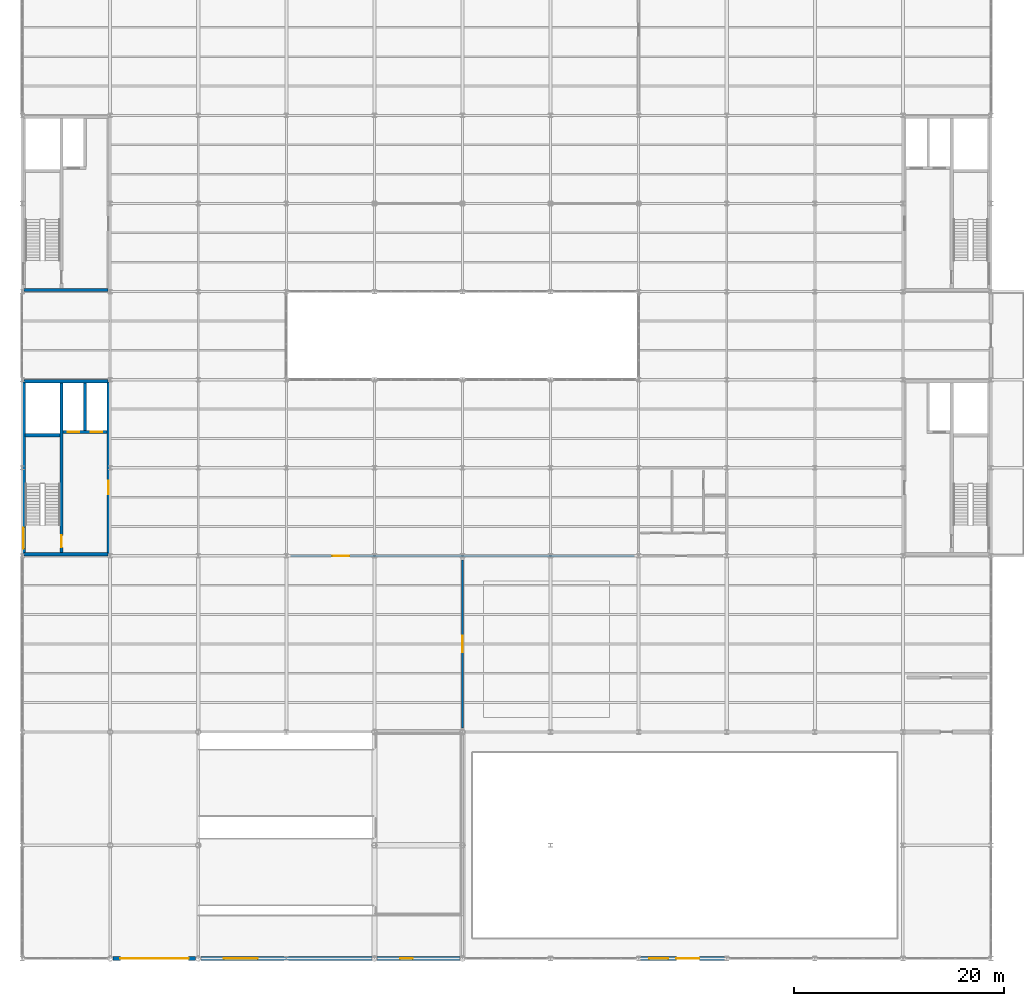
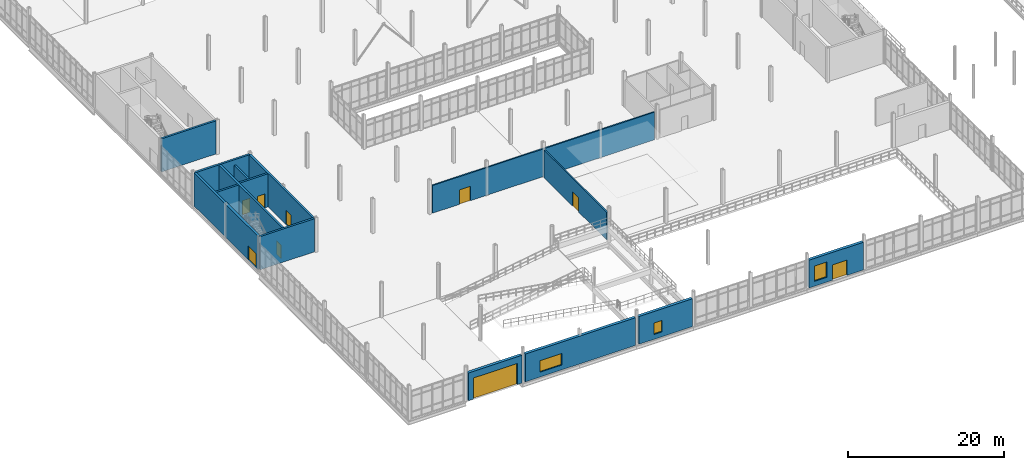
# One storey, part 96 of 111: 15 walls, 9 doors, 3 windows, 12 openings.
"""IFC4 building model written with IfcOpenShell, lengths in metres."""

from ifc_helpers import new_model, si_unit, direction, frame, frame_2d, origin, place, context, subcontext, project, spatial, rectangle, extrude, material, layer, layer_set, type_object, element, fill, save


model = new_model("IFC4")

# Units and contexts
model_context = context("Model", 3, precision=1e-05, world=origin(), true_north=direction((0.0, 1.0)))
body_context = subcontext(model_context, "Body", "Model", "MODEL_VIEW")
ifc_project = project(units=[si_unit("LENGTHUNIT", "METRE"), si_unit("AREAUNIT", "SQUARE_METRE"), si_unit("VOLUMEUNIT", "CUBIC_METRE"), si_unit("PLANEANGLEUNIT", "RADIAN"), si_unit("MASSUNIT", "GRAM", prefix="KILO"), si_unit("THERMODYNAMICTEMPERATUREUNIT", "KELVIN"), si_unit("POWERUNIT", "WATT")], contexts=[model_context])

# Site, building, storey
site_placement = place(None, origin())
site = spatial("IfcSite", under=ifc_project, at=site_placement, CompositionType="ELEMENT")
building_placement = place(site_placement, origin())
building = spatial("IfcBuilding", under=site, at=building_placement, Name="Tembeka Court Mobility Hub", CompositionType="ELEMENT")
storey_placement = place(building_placement, origin())
storey = spatial("IfcBuildingStorey", under=building, at=storey_placement, Name="L00", CompositionType="ELEMENT", Elevation=0.0)

# Wall, opening, door
ifc_material_1 = material(Name="Insulated Nairobi volcanic-tuff masonry", Category="masonry")
ifc_layer_1 = layer(ifc_material_1, 0.419921875)
ifc_layer_set_1 = layer_set([ifc_layer_1], Name="Insulated Nairobi volcanic-tuff masonry")
wall_type_1 = type_object("IfcWallType", Name="WL-EW01", PredefinedType="STANDARD", material=ifc_layer_set_1)
wall_1_placement = place(storey_placement, frame((8.652099609375, 0.0, 0.0), z_axis=(0.0, 0.0, 1.0), x_axis=(1.0, 0.0, 0.0)))
wall_1 = element("IfcWall", 1, at=wall_1_placement, inside=storey, type_object=wall_type_1, Name="External wall EW01 (EW-L00-0062)", PredefinedType="STANDARD", context=body_context, shape_type="SweptSolid", body=[
    extrude(rectangle(XDim=7.89599609375, YDim=0.419921875, at=frame_2d((3.947998046875, 0.0))), origin(), (0.0, 0.0, 1.0), 4.3349609375),
])
opening_1_placement = place(wall_1_placement, frame((0.72998046875, 0.0, 0.0)))
opening_1 = element("IfcOpeningElement", 2, at=opening_1_placement, cuts=wall_1, Name="Opening VG02", PredefinedType="OPENING", context=body_context, shape_type="SweptSolid", body=[
    extrude(rectangle(XDim=6.5, YDim=3.300048828125, at=frame_2d((3.25, 1.64990234375))), frame((0.0, 0.219970703125, 0.0), z_axis=(0.0, -1.0, 0.0), x_axis=(1.0, 0.0, 0.0)), (0.0, 0.0, 1.0), 0.43994140625),
])
ifc_material_2 = material(Name="Galvanised steel fire/shutter doorset", Category="steel")
door_type_1 = type_object("IfcDoorType", Name="DR-VG02", OperationType="ROLLINGUP", PredefinedType="DOOR", material=ifc_material_2)
door_1_placement = place(opening_1_placement, frame((6.5, 0.0, 0.0), z_axis=(0.0, 0.0, 1.0), x_axis=(-1.0, 0.0, 0.0)))
door_1 = element("IfcDoor", 3, at=door_1_placement, inside=storey, type_object=door_type_1, Name="Car park vehicle roller shutter gate VG02", OperationType="ROLLINGUP", OverallHeight=3.300048828125, OverallWidth=6.5, PredefinedType="DOOR", context=body_context, shape_type="SweptSolid", body=[
    extrude(rectangle(XDim=6.5, YDim=3.300048828125, at=frame_2d((3.25, 1.64990234375))), frame((0.0, 0.02490234375, 0.0), z_axis=(0.0, -1.0, 0.0), x_axis=(1.0, 0.0, 0.0)), (0.0, 0.0, 1.0), 0.050048828125),
])
fill(opening_1, door_1)

# Wall, opening, window
wall_2_placement = place(storey_placement, frame((17.052001953125, 0.0, 0.0), z_axis=(0.0, 0.0, 1.0), x_axis=(1.0, 0.0, 0.0)))
wall_2 = element("IfcWall", 4, at=wall_2_placement, inside=storey, type_object=wall_type_1, Name="External wall EW01 (EW-L00-0063)", PredefinedType="STANDARD", context=body_context, shape_type="SweptSolid", body=[
    extrude(rectangle(XDim=16.2958984375, YDim=0.419921875, at=frame_2d((8.14794921875, 0.0))), origin(), (0.0, 0.0, 1.0), 4.3349609375),
])
opening_2_placement = place(wall_2_placement, frame((2.199951171875, 0.0, 0.75)))
opening_2 = element("IfcOpeningElement", 5, at=opening_2_placement, cuts=wall_2, Name="Opening WN18", PredefinedType="OPENING", context=body_context, shape_type="SweptSolid", body=[
    extrude(rectangle(XDim=3.199951171875, YDim=1.800048828125, at=frame_2d((1.60009765625, 0.89990234375))), frame((0.0, 0.219970703125, 0.0), z_axis=(0.0, -1.0, 0.0), x_axis=(1.0, 0.0, 0.0)), (0.0, 0.0, 1.0), 0.43994140625),
])
ifc_material_3 = material(Name="Laminated solar-control low-E glass", Category="glass")
window_type_1 = type_object("IfcWindowType", Name="WN-W18", PartitioningType="SINGLE_PANEL", PredefinedType="WINDOW", material=ifc_material_3)
window_1_placement = place(opening_2_placement, origin())
window_1 = element("IfcWindow", 6, at=window_1_placement, inside=storey, type_object=window_type_1, Name="Window WN18-0007", OverallHeight=1.800048828125, OverallWidth=3.199951171875, PartitioningType="SINGLE_PANEL", PredefinedType="WINDOW", context=body_context, shape_type="SweptSolid", body=[
    extrude(rectangle(XDim=3.199951171875, YDim=1.800048828125, at=frame_2d((1.60009765625, 0.89990234375))), frame((0.0, 0.030029296875, 0.0), z_axis=(0.0, -1.0, 0.0), x_axis=(1.0, 0.0, 0.0)), (0.0, 0.0, 1.0), 0.06005859375),
])
fill(opening_2, window_1)

wall_3_placement = place(storey_placement, frame((33.85205078125, 0.0, 0.0), z_axis=(0.0, 0.0, 1.0), x_axis=(1.0, 0.0, 0.0)))
wall_3 = element("IfcWall", 7, at=wall_3_placement, inside=storey, type_object=wall_type_1, Name="External wall EW01 (EW-L00-0064)", PredefinedType="STANDARD", context=body_context, shape_type="SweptSolid", body=[
    extrude(rectangle(XDim=7.89599609375, YDim=0.419921875, at=frame_2d((3.947998046875, 0.0))), origin(), (0.0, 0.0, 1.0), 4.3349609375),
])
opening_3_placement = place(wall_3_placement, frame((2.199951171875, 0.0, 0.75)))
opening_3 = element("IfcOpeningElement", 8, at=opening_3_placement, cuts=wall_3, Name="Opening WN19", PredefinedType="OPENING", context=body_context, shape_type="SweptSolid", body=[
    extrude(rectangle(XDim=1.199951171875, YDim=1.800048828125, at=frame_2d((0.60009765625, 0.89990234375))), frame((0.0, 0.219970703125, 0.0), z_axis=(0.0, -1.0, 0.0), x_axis=(1.0, 0.0, 0.0)), (0.0, 0.0, 1.0), 0.43994140625),
])
window_type_2 = type_object("IfcWindowType", Name="WN-W19", PartitioningType="SINGLE_PANEL", PredefinedType="WINDOW", material=ifc_material_3)
window_2_placement = place(opening_3_placement, origin())
window_2 = element("IfcWindow", 9, at=window_2_placement, inside=storey, type_object=window_type_2, Name="Window WN19-0008", OverallHeight=1.800048828125, OverallWidth=1.199951171875, PartitioningType="SINGLE_PANEL", PredefinedType="WINDOW", context=body_context, shape_type="SweptSolid", body=[
    extrude(rectangle(XDim=1.199951171875, YDim=1.800048828125, at=frame_2d((0.60009765625, 0.89990234375))), frame((0.0, 0.030029296875, 0.0), z_axis=(0.0, -1.0, 0.0), x_axis=(1.0, 0.0, 0.0)), (0.0, 0.0, 1.0), 0.06005859375),
])
fill(opening_3, window_2)

# Wall, openings, door, window
wall_4_placement = place(storey_placement, frame((58.99755859375, 0.0, 0.0), z_axis=(0.0, 0.0, 1.0), x_axis=(1.0, 0.0, 0.0)))
wall_4 = element("IfcWall", 10, at=wall_4_placement, inside=storey, type_object=wall_type_1, Name="External wall EW01 (EW-L00-0065)", PredefinedType="STANDARD", context=body_context, shape_type="SweptSolid", body=[
    extrude(rectangle(XDim=8.0048828125, YDim=0.419921875, at=frame_2d((4.00244140625, 0.0))), origin(), (0.0, 0.0, 1.0), 4.3349609375),
])
opening_4_placement = place(wall_4_placement, frame((3.39990234375, 0.0, 0.0)))
opening_4 = element("IfcOpeningElement", 11, at=opening_4_placement, cuts=wall_4, Name="Opening E07", PredefinedType="OPENING", context=body_context, shape_type="SweptSolid", body=[
    extrude(rectangle(XDim=2.199951171875, YDim=2.39990234375, at=frame_2d((1.10009765625, 1.199951171875))), frame((0.0, 0.219970703125, 0.0), z_axis=(0.0, -1.0, 0.0), x_axis=(1.0, 0.0, 0.0)), (0.0, 0.0, 1.0), 0.43994140625),
])
opening_5_placement = place(wall_4_placement, frame((0.800048828125, 0.0, 0.75)))
opening_5 = element("IfcOpeningElement", 12, at=opening_5_placement, cuts=wall_4, Name="Opening WN01", PredefinedType="OPENING", context=body_context, shape_type="SweptSolid", body=[
    extrude(rectangle(XDim=1.800048828125, YDim=2.39990234375, at=frame_2d((0.89990234375, 1.199951171875))), frame((0.0, 0.219970703125, 0.0), z_axis=(0.0, -1.0, 0.0), x_axis=(1.0, 0.0, 0.0)), (0.0, 0.0, 1.0), 0.43994140625),
])
ifc_material_4 = material(Name="Powder-coated aluminium glazed doorset", Category="aluminium")
door_type_2 = type_object("IfcDoorType", Name="DR-E07", OperationType="NOTDEFINED", PredefinedType="DOOR", material=ifc_material_4)
door_2_placement = place(opening_4_placement, frame((2.199951171875, 0.0, 0.0), z_axis=(0.0, 0.0, 1.0), x_axis=(-1.0, 0.0, 0.0)))
door_2 = element("IfcDoor", 13, at=door_2_placement, inside=storey, type_object=door_type_2, Name="Main entrance E07 forecourt South", OperationType="DOUBLE_DOOR_SINGLE_SWING", OverallHeight=2.39990234375, OverallWidth=2.199951171875, PredefinedType="DOOR", context=body_context, shape_type="SweptSolid", body=[
    extrude(rectangle(XDim=2.199951171875, YDim=2.39990234375, at=frame_2d((1.10009765625, 1.199951171875))), frame((0.0, 0.02490234375, 0.0), z_axis=(0.0, -1.0, 0.0), x_axis=(1.0, 0.0, 0.0)), (0.0, 0.0, 1.0), 0.050048828125),
])
fill(opening_4, door_2)
window_type_3 = type_object("IfcWindowType", Name="WN-W01", PartitioningType="SINGLE_PANEL", PredefinedType="WINDOW", material=ifc_material_3)
window_3_placement = place(opening_5_placement, origin())
window_3 = element("IfcWindow", 14, at=window_3_placement, inside=storey, type_object=window_type_3, Name="Window WN01-0009", OverallHeight=2.39990234375, OverallWidth=1.800048828125, PartitioningType="SINGLE_PANEL", PredefinedType="WINDOW", context=body_context, shape_type="SweptSolid", body=[
    extrude(rectangle(XDim=1.800048828125, YDim=2.39990234375, at=frame_2d((0.89990234375, 1.199951171875))), frame((0.0, 0.030029296875, 0.0), z_axis=(0.0, -1.0, 0.0), x_axis=(1.0, 0.0, 0.0)), (0.0, 0.0, 1.0), 0.06005859375),
])
fill(opening_5, window_3)

# Wall
ifc_material_5 = material(Name="Concrete C40/50", Category="concrete")
ifc_layer_2 = layer(ifc_material_5, 0.25)
ifc_layer_set_2 = layer_set([ifc_layer_2], Name="Concrete C40/50")
wall_type_2 = type_object("IfcWallType", Name="WL-IW01", PredefinedType="PARTITIONING", material=ifc_layer_set_2)
wall_5_placement = place(storey_placement, frame((6.0, 50.35009765625, 0.0), z_axis=(0.0, 0.0, 1.0), x_axis=(0.0, 1.0, 0.0)))
element("IfcWall", 15, at=wall_5_placement, inside=storey, type_object=wall_type_2, Name="Wall IW01 (IW-L00-0016)", PredefinedType="PARTITIONING", context=body_context, shape_type="SweptSolid", body=[
    extrude(rectangle(XDim=4.5498046875, YDim=0.25, at=frame_2d((2.27490234375, 0.0))), origin(), (0.0, 0.0, 1.0), 4.324951171875),
])

# Wall, opening, door
ifc_material_6 = material(Name="Concrete blockwork masonry", Category="masonry")
ifc_layer_3 = layer(ifc_material_6, 0.199951171875)
ifc_layer_set_3 = layer_set([ifc_layer_3], Name="Concrete blockwork masonry")
wall_type_3 = type_object("IfcWallType", Name="WL-IW02", PredefinedType="PARTITIONING", material=ifc_layer_set_3)
wall_6_placement = place(storey_placement, frame((42.0, 22.0, 0.0), z_axis=(0.0, 0.0, 1.0), x_axis=(0.0, 1.0, 0.0)))
wall_6 = element("IfcWall", 16, at=wall_6_placement, inside=storey, type_object=wall_type_3, Name="Wall IW02 (IW-L00-0424)", PredefinedType="PARTITIONING", context=body_context, shape_type="SweptSolid", body=[
    extrude(rectangle(XDim=16.0, YDim=0.199951171875, at=frame_2d((8.0, 0.0))), origin(), (0.0, 0.0, 1.0), 4.324951171875),
])
opening_6_placement = place(wall_6_placement, frame((7.199951171875, 0.0, 0.0)))
opening_6 = element("IfcOpeningElement", 17, at=opening_6_placement, cuts=wall_6, Name="Opening ID05", PredefinedType="OPENING", context=body_context, shape_type="SweptSolid", body=[
    extrude(rectangle(XDim=1.60009765625, YDim=2.25, at=frame_2d((0.800048828125, 1.125))), frame((0.0, 0.10986328125, 0.0), z_axis=(0.0, -1.0, 0.0), x_axis=(1.0, 0.0, 0.0)), (0.0, 0.0, 1.0), 0.219970703125),
])
door_type_3 = type_object("IfcDoorType", Name="DR-ID05", OperationType="NOTDEFINED", PredefinedType="DOOR", material=ifc_material_4)
door_3_placement = place(opening_6_placement, origin())
door_3 = element("IfcDoor", 18, at=door_3_placement, inside=storey, type_object=door_type_3, Name="Door ID05-0197", OperationType="DOUBLE_DOOR_SINGLE_SWING", OverallHeight=2.25, OverallWidth=1.60009765625, PredefinedType="DOOR", context=body_context, shape_type="SweptSolid", body=[
    extrude(rectangle(XDim=1.60009765625, YDim=2.25, at=frame_2d((0.800048828125, 1.125))), frame((0.0, 0.02490234375, 0.0), z_axis=(0.0, -1.0, 0.0), x_axis=(1.0, 0.0, 0.0)), (0.0, 0.0, 1.0), 0.050048828125),
])
fill(opening_6, door_3)

wall_7_placement = place(storey_placement, frame((25.60009765625, 38.39990234375, 0.0), z_axis=(0.0, 0.0, 1.0), x_axis=(1.0, 0.0, 0.0)))
wall_7 = element("IfcWall", 19, at=wall_7_placement, inside=storey, type_object=wall_type_3, Name="Wall IW02 (IW-L00-0425)", PredefinedType="PARTITIONING", context=body_context, shape_type="SweptSolid", body=[
    extrude(rectangle(XDim=32.7998046875, YDim=0.199951171875, at=frame_2d((16.39990234375, 0.0))), origin(), (0.0, 0.0, 1.0), 4.324951171875),
])
opening_7_placement = place(wall_7_placement, frame((4.0, 0.0, 0.0)))
opening_7 = element("IfcOpeningElement", 20, at=opening_7_placement, cuts=wall_7, Name="Opening ID05", PredefinedType="OPENING", context=body_context, shape_type="SweptSolid", body=[
    extrude(rectangle(XDim=1.60009765625, YDim=2.25, at=frame_2d((0.800048828125, 1.125))), frame((0.0, 0.10986328125, 0.0), z_axis=(0.0, -1.0, 0.0), x_axis=(1.0, 0.0, 0.0)), (0.0, 0.0, 1.0), 0.219970703125),
])
door_4_placement = place(opening_7_placement, origin())
door_4 = element("IfcDoor", 21, at=door_4_placement, inside=storey, type_object=door_type_3, Name="Door ID05-0198", OperationType="DOUBLE_DOOR_SINGLE_SWING", OverallHeight=2.25, OverallWidth=1.60009765625, PredefinedType="DOOR", context=body_context, shape_type="SweptSolid", body=[
    extrude(rectangle(XDim=1.60009765625, YDim=2.25, at=frame_2d((0.800048828125, 1.125))), frame((0.0, 0.02490234375, 0.0), z_axis=(0.0, -1.0, 0.0), x_axis=(1.0, 0.0, 0.0)), (0.0, 0.0, 1.0), 0.050048828125),
])
fill(opening_7, door_4)

# Walls
ifc_layer_4 = layer(ifc_material_5, 0.300048828125)
ifc_layer_set_4 = layer_set([ifc_layer_4], Name="Concrete C40/50")
wall_type_4 = type_object("IfcWallType", Name="WL-SW01", PredefinedType="SHEAR", material=ifc_layer_set_4)
for number, where, z_axis, x_axis, name in (
    (22, (0.197509765625, 38.550048828125, 0.0), (0.0, 0.0, 1.0), (1.0, 0.0, 0.0), "Wall SW01 (IW-L00-0009)"),
    (23, (0.197509765625, 55.050048828125, 0.0), (0.0, 0.0, 1.0), (1.0, 0.0, 0.0), "Wall SW01 (IW-L00-0010)"),
):
    element("IfcWall", number, at=place(storey_placement, frame(where, z_axis=z_axis, x_axis=x_axis)), inside=storey, type_object=wall_type_4, Name=name, PredefinedType="SHEAR", context=body_context, shape_type="SweptSolid", body=[
        extrude(rectangle(XDim=8.0048828125, YDim=0.300048828125, at=frame_2d((4.00244140625, 0.0))), origin(), (0.0, 0.0, 1.0), 5.179931640625),
    ])
wall_8_placement = place(storey_placement, frame((0.300048828125, 49.89990234375, 0.0), z_axis=(0.0, 0.0, 1.0), x_axis=(1.0, 0.0, 0.0)))
element("IfcWall", 24, at=wall_8_placement, inside=storey, type_object=wall_type_4, Name="Wall SW01 (IW-L00-0011)", PredefinedType="SHEAR", context=body_context, shape_type="SweptSolid", body=[
    extrude(rectangle(XDim=3.300048828125, YDim=0.300048828125, at=frame_2d((1.64990234375, 0.0))), origin(), (0.0, 0.0, 1.0), 5.179931640625),
])

# Wall, opening, door
wall_9_placement = place(storey_placement, frame((8.25, 38.594970703125, 0.0), z_axis=(0.0, 0.0, 1.0), x_axis=(0.0, 1.0, 0.0)))
wall_9 = element("IfcWall", 25, at=wall_9_placement, inside=storey, type_object=wall_type_4, Name="Wall SW01 (IW-L00-0013)", PredefinedType="SHEAR", context=body_context, shape_type="SweptSolid", body=[
    extrude(rectangle(XDim=16.409912109375, YDim=0.300048828125, at=frame_2d((8.205078125, 0.0))), origin(), (0.0, 0.0, 1.0), 5.179931640625),
])
opening_8_placement = place(wall_9_placement, frame((5.655029296875, 0.0, 0.0)))
opening_8 = element("IfcOpeningElement", 26, at=opening_8_placement, cuts=wall_9, Name="Opening FD02", PredefinedType="OPENING", context=body_context, shape_type="SweptSolid", body=[
    extrude(rectangle(XDim=1.300048828125, YDim=2.199951171875, at=frame_2d((0.64990234375, 1.10009765625))), frame((0.0, 0.16015625, 0.0), z_axis=(0.0, -1.0, 0.0), x_axis=(1.0, 0.0, 0.0)), (0.0, 0.0, 1.0), 0.320068359375),
])
door_type_4 = type_object("IfcDoorType", Name="DR-FD02", OperationType="NOTDEFINED", PredefinedType="DOOR", material=ifc_material_2)
door_5_placement = place(opening_8_placement, origin())
door_5 = element("IfcDoor", 27, at=door_5_placement, inside=storey, type_object=door_type_4, Name="Door FD02-0006", OperationType="SINGLE_SWING_LEFT", OverallHeight=2.199951171875, OverallWidth=1.300048828125, PredefinedType="DOOR", context=body_context, shape_type="SweptSolid", body=[
    extrude(rectangle(XDim=1.300048828125, YDim=2.199951171875, at=frame_2d((0.64990234375, 1.10009765625))), frame((0.0, 0.02490234375, 0.0), z_axis=(0.0, -1.0, 0.0), x_axis=(1.0, 0.0, 0.0)), (0.0, 0.0, 1.0), 0.050048828125),
])
fill(opening_8, door_5)

wall_10_placement = place(storey_placement, frame((3.75, 38.699951171875, 0.0), z_axis=(0.0, 0.0, 1.0), x_axis=(0.0, 1.0, 0.0)))
wall_10 = element("IfcWall", 28, at=wall_10_placement, inside=storey, type_object=wall_type_4, Name="Wall SW01 (IW-L00-0014)", PredefinedType="SHEAR", context=body_context, shape_type="SweptSolid", body=[
    extrude(rectangle(XDim=16.199951171875, YDim=0.300048828125, at=frame_2d((8.10009765625, 0.0))), origin(), (0.0, 0.0, 1.0), 5.179931640625),
])
opening_9_placement = place(wall_10_placement, frame((0.5, 0.0, 0.0)))
opening_9 = element("IfcOpeningElement", 29, at=opening_9_placement, cuts=wall_10, Name="Opening FD03", PredefinedType="OPENING", context=body_context, shape_type="SweptSolid", body=[
    extrude(rectangle(XDim=1.14990234375, YDim=2.14990234375, at=frame_2d((0.574951171875, 1.074951171875))), frame((0.0, 0.16015625, 0.0), z_axis=(0.0, -1.0, 0.0), x_axis=(1.0, 0.0, 0.0)), (0.0, 0.0, 1.0), 0.320068359375),
])
door_type_5 = type_object("IfcDoorType", Name="DR-FD03", OperationType="NOTDEFINED", PredefinedType="DOOR", material=ifc_material_2)
door_6_placement = place(opening_9_placement, frame((1.14990234375, 0.0, 0.0), z_axis=(0.0, 0.0, 1.0), x_axis=(-1.0, 0.0, 0.0)))
door_6 = element("IfcDoor", 30, at=door_6_placement, inside=storey, type_object=door_type_5, Name="Door FD03-0007", OperationType="SINGLE_SWING_LEFT", OverallHeight=2.14990234375, OverallWidth=1.14990234375, PredefinedType="DOOR", context=body_context, shape_type="SweptSolid", body=[
    extrude(rectangle(XDim=1.14990234375, YDim=2.14990234375, at=frame_2d((0.574951171875, 1.074951171875))), frame((0.0, 0.02490234375, 0.0), z_axis=(0.0, -1.0, 0.0), x_axis=(1.0, 0.0, 0.0)), (0.0, 0.0, 1.0), 0.050048828125),
])
fill(opening_9, door_6)

# Wall, openings, doors
wall_11_placement = place(storey_placement, frame((3.89990234375, 50.199951171875, 0.0), z_axis=(0.0, 0.0, 1.0), x_axis=(1.0, 0.0, 0.0)))
wall_11 = element("IfcWall", 31, at=wall_11_placement, inside=storey, type_object=wall_type_4, Name="Wall SW01 (IW-L00-0015)", PredefinedType="SHEAR", context=body_context, shape_type="SweptSolid", body=[
    extrude(rectangle(XDim=4.2001953125, YDim=0.300048828125, at=frame_2d((2.10009765625, 0.0))), origin(), (0.0, 0.0, 1.0), 5.179931640625),
])
opening_10_placement = place(wall_11_placement, frame((0.449951171875, 0.0, 0.0)))
opening_10 = element("IfcOpeningElement", 32, at=opening_10_placement, cuts=wall_11, Name="Opening LD01", PredefinedType="OPENING", context=body_context, shape_type="SweptSolid", body=[
    extrude(rectangle(XDim=1.10009765625, YDim=2.199951171875, at=frame_2d((0.550048828125, 1.10009765625))), frame((0.0, 0.16015625, 0.0), z_axis=(0.0, -1.0, 0.0), x_axis=(1.0, 0.0, 0.0)), (0.0, 0.0, 1.0), 0.320068359375),
])
opening_11_placement = place(wall_11_placement, frame((2.64990234375, 0.0, 0.0)))
opening_11 = element("IfcOpeningElement", 33, at=opening_11_placement, cuts=wall_11, Name="Opening LD01", PredefinedType="OPENING", context=body_context, shape_type="SweptSolid", body=[
    extrude(rectangle(XDim=1.10009765625, YDim=2.199951171875, at=frame_2d((0.550048828125, 1.10009765625))), frame((0.0, 0.16015625, 0.0), z_axis=(0.0, -1.0, 0.0), x_axis=(1.0, 0.0, 0.0)), (0.0, 0.0, 1.0), 0.320068359375),
])
door_type_6 = type_object("IfcDoorType", Name="DR-LD01", OperationType="SLIDING_TO_LEFT", PredefinedType="DOOR", material=ifc_material_2)
door_7_placement = place(opening_10_placement, origin())
door_7 = element("IfcDoor", 34, at=door_7_placement, inside=storey, type_object=door_type_6, Name="Lift LF01 landing door L00", OperationType="SLIDING_TO_LEFT", OverallHeight=2.199951171875, OverallWidth=1.10009765625, PredefinedType="DOOR", context=body_context, shape_type="SweptSolid", body=[
    extrude(rectangle(XDim=1.10009765625, YDim=2.199951171875, at=frame_2d((0.550048828125, 1.10009765625))), frame((0.0, 0.02490234375, 0.0), z_axis=(0.0, -1.0, 0.0), x_axis=(1.0, 0.0, 0.0)), (0.0, 0.0, 1.0), 0.050048828125),
])
fill(opening_10, door_7)
door_8_placement = place(opening_11_placement, origin())
door_8 = element("IfcDoor", 35, at=door_8_placement, inside=storey, type_object=door_type_6, Name="Lift LF03 landing door L00", OperationType="SLIDING_TO_LEFT", OverallHeight=2.199951171875, OverallWidth=1.10009765625, PredefinedType="DOOR", context=body_context, shape_type="SweptSolid", body=[
    extrude(rectangle(XDim=1.10009765625, YDim=2.199951171875, at=frame_2d((0.550048828125, 1.10009765625))), frame((0.0, 0.02490234375, 0.0), z_axis=(0.0, -1.0, 0.0), x_axis=(1.0, 0.0, 0.0)), (0.0, 0.0, 1.0), 0.050048828125),
])
fill(opening_11, door_8)

# Wall
wall_12_placement = place(storey_placement, frame((0.197509765625, 63.75, 0.0), z_axis=(0.0, 0.0, 1.0), x_axis=(1.0, 0.0, 0.0)))
element("IfcWall", 36, at=wall_12_placement, inside=storey, type_object=wall_type_4, Name="Wall SW01 (IW-L00-0137)", PredefinedType="SHEAR", context=body_context, shape_type="SweptSolid", body=[
    extrude(rectangle(XDim=8.0048828125, YDim=0.300048828125, at=frame_2d((4.00244140625, 0.0))), origin(), (0.0, 0.0, 1.0), 5.179931640625),
])

# Wall, opening, door
ifc_layer_5 = layer(ifc_material_5, 0.35009765625)
ifc_layer_set_5 = layer_set([ifc_layer_5], Name="Concrete C40/50")
wall_type_5 = type_object("IfcWallType", Name="WL-SW02", PredefinedType="SHEAR", material=ifc_layer_set_5)
wall_13_placement = place(storey_placement, frame((0.14990234375, 38.594970703125, 0.0), z_axis=(0.0, 0.0, 1.0), x_axis=(0.0, 1.0, 0.0)))
wall_13 = element("IfcWall", 37, at=wall_13_placement, inside=storey, type_object=wall_type_5, Name="Wall SW02 (IW-L00-0012)", PredefinedType="SHEAR", context=body_context, shape_type="SweptSolid", body=[
    extrude(rectangle(XDim=16.409912109375, YDim=0.35009765625, at=frame_2d((8.205078125, 0.0))), origin(), (0.0, 0.0, 1.0), 5.179931640625),
])
opening_12_placement = place(wall_13_placement, frame((0.5048828125, 0.0, 0.0)))
opening_12 = element("IfcOpeningElement", 38, at=opening_12_placement, cuts=wall_13, Name="Opening E01", PredefinedType="OPENING", context=body_context, shape_type="SweptSolid", body=[
    extrude(rectangle(XDim=2.0, YDim=2.199951171875, at=frame_2d((1.0, 1.10009765625))), frame((0.0, 0.18505859375, 0.0), z_axis=(0.0, -1.0, 0.0), x_axis=(1.0, 0.0, 0.0)), (0.0, 0.0, 1.0), 0.3701171875),
])
door_type_7 = type_object("IfcDoorType", Name="DR-E01", OperationType="NOTDEFINED", PredefinedType="DOOR", material=ifc_material_4)
door_9_placement = place(opening_12_placement, origin())
door_9 = element("IfcDoor", 39, at=door_9_placement, inside=storey, type_object=door_type_7, Name="Final exit E01 from Stair ST01", OperationType="DOUBLE_DOOR_SINGLE_SWING", OverallHeight=2.199951171875, OverallWidth=2.0, PredefinedType="DOOR", context=body_context, shape_type="SweptSolid", body=[
    extrude(rectangle(XDim=2.0, YDim=2.199951171875, at=frame_2d((1.0, 1.10009765625))), frame((0.0, 0.02490234375, 0.0), z_axis=(0.0, -1.0, 0.0), x_axis=(1.0, 0.0, 0.0)), (0.0, 0.0, 1.0), 0.050048828125),
])
fill(opening_12, door_9)

save(model, "model.ifc")
